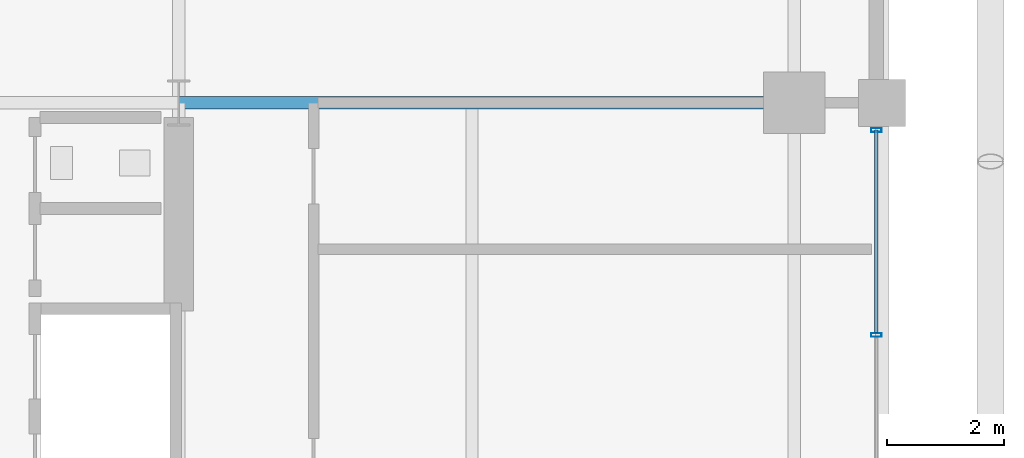
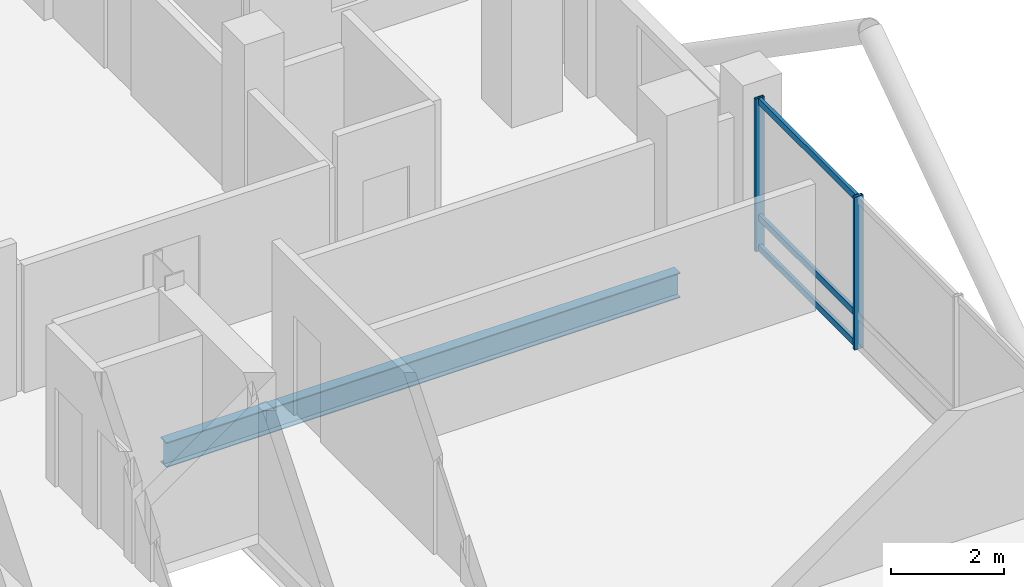
# One storey, part 13 of 25: 5 members, 1 beam, 1 element without a shape of its own.
"""IFC4 building model written with IfcOpenShell, lengths in metres."""

from ifc_helpers import new_model, si_unit, direction, frame, origin, origin_2d, place, context, subcontext, project, spatial, hollow_rectangle, i_section, extrude, material, layer, layer_set, material_profile, profile_set, type_object, element, aggregate, save


model = new_model("IFC4")

# Units and contexts
model_context = context("Model", 3, precision=1e-05, world=origin(), true_north=direction((0.0, 1.0)))
body_context = subcontext(model_context, "Body", "Model", "MODEL_VIEW")
ifc_project = project(units=[si_unit("LENGTHUNIT", "METRE"), si_unit("AREAUNIT", "SQUARE_METRE"), si_unit("VOLUMEUNIT", "CUBIC_METRE"), si_unit("PLANEANGLEUNIT", "RADIAN"), si_unit("MASSUNIT", "GRAM", prefix="KILO")], contexts=[model_context])

# Site, building, storey
site_placement = place(None, origin())
site = spatial("IfcSite", under=ifc_project, at=site_placement, CompositionType="ELEMENT")
building_placement = place(site_placement, origin())
building = spatial("IfcBuilding", under=site, at=building_placement, Name="Barlavira Tower and Art Museum", CompositionType="ELEMENT")
storey_placement = place(building_placement, frame((0.0, 0.0, 208.800048828125)))
storey = spatial("IfcBuildingStorey", under=building, at=storey_placement, Name="L54", CompositionType="ELEMENT", Elevation=208.800048828125)

# Curtain wall, members
ifc_material_1 = material(Name="Low-iron coastal laminated glass", Category="glass")
ifc_layer = layer(ifc_material_1, 0.199951171875, Name="Low-iron coastal laminated glass")
ifc_layer_set = layer_set([ifc_layer], Name="Low-iron coastal laminated glass")
curtain_wall_type = type_object("IfcCurtainWallType", Name="Pale-Metal Unitised Curtain Wall Zone 3", PredefinedType="NOTDEFINED", material=ifc_layer_set)
curtain_wall_placement = place(storey_placement, origin())
curtain_wall = element("IfcCurtainWall", 1, at=curtain_wall_placement, inside=storey, type_object=curtain_wall_type, Name="L54 Curtain Wall CW3-L54-E-B3", PredefinedType="NOTDEFINED")
ifc_material_2 = material(Name="Pale anodised aluminium", Category="aluminium")
ifc_material_profile_1 = material_profile(ifc_material_2, hollow_rectangle(XDim=0.06494140625, YDim=0.179931640625, WallThickness=0.00390625, at=origin_2d()), Name="ALU-MULL 65x180x4")
ifc_profile_set_1 = profile_set([ifc_material_profile_1], Name="Pale anodised aluminium")
member_type_1 = type_object("IfcMemberType", Name="Curtain Wall Pale-Metal Mullion 65x180", PredefinedType="MULLION", material=ifc_profile_set_1)
member_1_placement = place(storey_placement, frame((18.39990234375, 3.5400390625, 0.0), z_axis=(0.0, 0.0, 1.0), x_axis=(0.0, 1.0, 0.0)))
member_1 = element("IfcMember", 2, at=member_1_placement, type_object=member_type_1, Name="CW3-L54-E-B3 Mullion 3", PredefinedType="MULLION", context=body_context, shape_type="SweptSolid", body=[
    extrude(hollow_rectangle(XDim=0.06494140625, YDim=0.179931640625, WallThickness=0.00390625, at=origin_2d()), origin(), (0.0, 0.0, 1.0), 3.300048828125),
])
member_2_placement = place(storey_placement, frame((18.39990234375, 7.034912109375, 0.0), z_axis=(0.0, 0.0, 1.0), x_axis=(0.0, 1.0, 0.0)))
member_2 = element("IfcMember", 3, at=member_2_placement, type_object=member_type_1, Name="CW3-L54-E-B3 Mullion 4", PredefinedType="MULLION", context=body_context, shape_type="SweptSolid", body=[
    extrude(hollow_rectangle(XDim=0.06494140625, YDim=0.179931640625, WallThickness=0.00390625, at=origin_2d()), origin(), (0.0, 0.0, 1.0), 3.300048828125),
])
ifc_material_profile_2 = material_profile(ifc_material_2, hollow_rectangle(XDim=0.06494140625, YDim=0.139892578125, WallThickness=0.00390625, at=origin_2d()), Name="ALU-TRAN 65x140x4")
ifc_profile_set_2 = profile_set([ifc_material_profile_2], Name="Pale anodised aluminium")
member_type_2 = type_object("IfcMemberType", Name="Curtain Wall Pale-Metal Transom 65x140", PredefinedType="USERDEFINED", material=ifc_profile_set_2)
member_3_placement = place(storey_placement, frame((18.39990234375, 3.5849609375, 0.070068359375), z_axis=(0.0, 1.0, 0.0), x_axis=(-1.0, 0.0, 0.0)))
member_3 = element("IfcMember", 4, at=member_3_placement, type_object=member_type_2, Name="CW3-L54-E-B3 Transom 3.1", ObjectType="TRANSOM", PredefinedType="USERDEFINED", context=body_context, shape_type="SweptSolid", body=[
    extrude(hollow_rectangle(XDim=0.06494140625, YDim=0.139892578125, WallThickness=0.00390625, at=origin_2d()), origin(), (0.0, 0.0, 1.0), 3.449951171875),
])
member_4_placement = place(storey_placement, frame((18.39990234375, 3.5849609375, 0.725830078125), z_axis=(0.0, 1.0, 0.0), x_axis=(-1.0, 0.0, 0.0)))
member_4 = element("IfcMember", 5, at=member_4_placement, type_object=member_type_2, Name="CW3-L54-E-B3 Transom 3.2", ObjectType="TRANSOM", PredefinedType="USERDEFINED", context=body_context, shape_type="SweptSolid", body=[
    extrude(hollow_rectangle(XDim=0.06494140625, YDim=0.139892578125, WallThickness=0.00390625, at=origin_2d()), origin(), (0.0, 0.0, 1.0), 3.449951171875),
])
member_5_placement = place(storey_placement, frame((18.39990234375, 3.5849609375, 3.22998046875), z_axis=(0.0, 1.0, 0.0), x_axis=(-1.0, 0.0, 0.0)))
member_5 = element("IfcMember", 6, at=member_5_placement, type_object=member_type_2, Name="CW3-L54-E-B3 Transom 3.3", ObjectType="TRANSOM", PredefinedType="USERDEFINED", context=body_context, shape_type="SweptSolid", body=[
    extrude(hollow_rectangle(XDim=0.06494140625, YDim=0.139892578125, WallThickness=0.00390625, at=origin_2d()), origin(), (0.0, 0.0, 1.0), 3.449951171875),
])
aggregate(curtain_wall, [member_1, member_2, member_3, member_4, member_5])

# Beam
ifc_material_3 = material(Name="Steel S355", Category="steel")
ifc_material_profile_3 = material_profile(ifc_material_3, i_section(OverallWidth=0.2109375, OverallDepth=0.5390625, WebThickness=0.01171875, FlangeThickness=0.018798828125, at=origin_2d()), Name="W530x109.0")
ifc_profile_set_3 = profile_set([ifc_material_profile_3], Name="Steel S355")
beam_type = type_object("IfcBeamType", Name="Zone 3-4 Primary Floor Girder W530x109 Steel S355", PredefinedType="BEAM", material=ifc_profile_set_3)
beam_placement = place(storey_placement, frame((6.5, 7.5, -0.489501953125), z_axis=(1.0, 0.0, 0.0), x_axis=(0.0, 1.0, 0.0)))
element("IfcBeam", 7, at=beam_placement, inside=storey, type_object=beam_type, Name="L54 Girder R-E2", PredefinedType="BEAM", context=body_context, shape_type="SweptSolid", body=[
    extrude(i_section(OverallWidth=0.2109375, OverallDepth=0.5390625, WebThickness=0.01171875, FlangeThickness=0.018798828125, at=origin_2d()), origin(), (0.0, 0.0, 1.0), 10.5),
])

save(model, "model.ifc")
